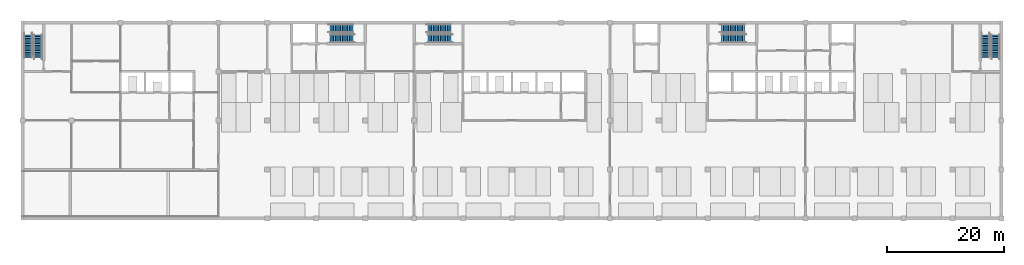
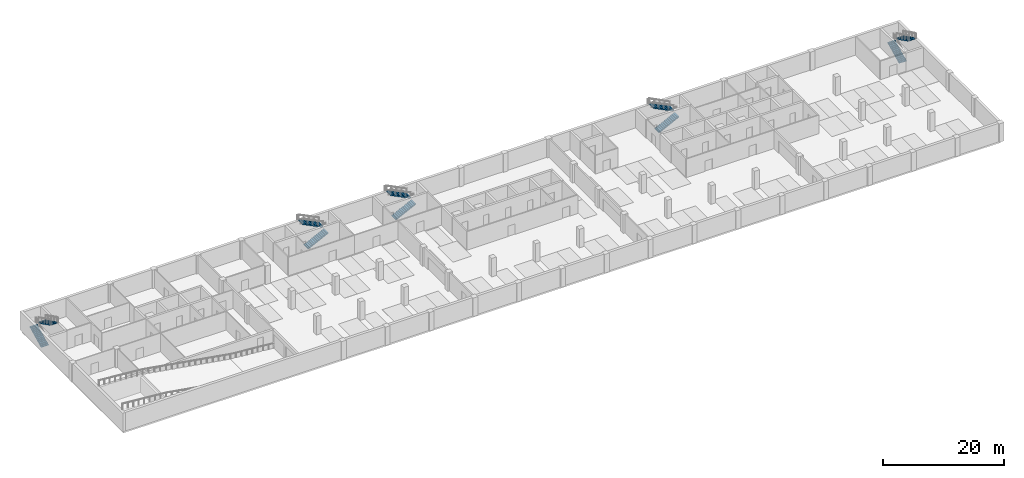
# One storey, part 6 of 14: 10 stair flights, 5 elements without a shape of their own.
"""IFC4 building model written with IfcOpenShell, lengths in metres."""

from ifc_helpers import new_model, si_unit, direction, frame, origin, place, context, subcontext, project, spatial, polyline, outline, extrude, material, type_object, element, aggregate, save


model = new_model("IFC4")

# Units and contexts
model_context = context("Model", 3, precision=1e-05, world=origin(), true_north=direction((0.0, 1.0)))
body_context = subcontext(model_context, "Body", "Model", "MODEL_VIEW")
ifc_project = project(units=[si_unit("LENGTHUNIT", "METRE"), si_unit("AREAUNIT", "SQUARE_METRE"), si_unit("VOLUMEUNIT", "CUBIC_METRE"), si_unit("PLANEANGLEUNIT", "RADIAN"), si_unit("MASSUNIT", "GRAM", prefix="KILO")], contexts=[model_context])

# Site, building, storey
site_placement = place(None, origin())
site = spatial("IfcSite", under=ifc_project, at=site_placement, CompositionType="ELEMENT")
building_placement = place(site_placement, origin())
building = spatial("IfcBuilding", under=site, at=building_placement, Name="Yavir Park General Hospital", CompositionType="ELEMENT")
storey_placement = place(building_placement, frame((0.0, 0.0, -4.199951171875)))
storey = spatial("IfcBuildingStorey", under=building, at=storey_placement, Name="B1", CompositionType="ELEMENT", Elevation=-4.199951171875)

# Stair, stair flights
ifc_material_1 = material(Name="Concrete C30/37", Category="concrete")
stair_type = type_object("IfcStairType", Name="Patient escape stair, 28 risers of 150 mm, 1400 mm flights", PredefinedType="HALF_TURN_STAIR", material=ifc_material_1)
stair_1_placement = place(storey_placement, origin())
stair_1 = element("IfcStair", 1, at=stair_1_placement, inside=storey, type_object=stair_type, Name="Stair BS1, B1 to L00", PredefinedType="HALF_TURN_STAIR")
ifc_material_2 = material(Name="Concrete C30/37", Category="concrete")
stair_flight_type = type_object("IfcStairFlightType", Name="Patient escape stair flight, 14 risers, 1400 mm wide", PredefinedType="STRAIGHT", material=ifc_material_2)
stair_flight_1_placement = place(storey_placement, frame((0.949951171875, 27.60009765625, 0.0), z_axis=(0.0, 0.0, 1.0), x_axis=(0.0, 1.0, 0.0)))
stair_flight_1 = element("IfcStairFlight", 2, at=stair_flight_1_placement, type_object=stair_flight_type, Name="BS1 flight 1", NumberOfRisers=14, NumberOfTreads=13, PredefinedType="STRAIGHT", RiserHeight=0.15, TreadLength=0.3, context=body_context, shape_type="SweptSolid", body=[
    extrude(outline(polyline([(0.0, 0.0), (0.0, 0.14990234375), (0.300048828125, 0.14990234375), (0.300048828125, 0.300048828125), (0.60009765625, 0.300048828125), (0.60009765625, 0.449951171875), (0.89990234375, 0.449951171875), (0.89990234375, 0.60009765625), (1.199951171875, 0.60009765625), (1.199951171875, 0.75), (1.5, 0.75), (1.5, 0.89990234375), (1.800048828125, 0.89990234375), (1.800048828125, 1.050048828125), (2.10009765625, 1.050048828125), (2.10009765625, 1.199951171875), (2.39990234375, 1.199951171875), (2.39990234375, 1.35009765625), (2.699951171875, 1.35009765625), (2.699951171875, 1.5), (3.0, 1.5), (3.0, 1.64990234375), (3.300048828125, 1.64990234375), (3.300048828125, 1.800048828125), (3.60009765625, 1.800048828125), (3.60009765625, 1.949951171875), (3.89990234375, 1.949951171875), (3.89990234375, 2.10009765625), (3.89990234375, 1.771240234375), (0.357666015625, 0.0), (0.0, 0.0)])), frame((0.0, 0.699951171875, 0.0), z_axis=(0.0, -1.0, 0.0), x_axis=(1.0, 0.0, 0.0)), (0.0, 0.0, 1.0), 1.39990234375),
])
stair_flight_2_placement = place(storey_placement, frame((2.64990234375, 31.5, 2.099853515625), z_axis=(0.0, 0.0, 1.0), x_axis=(0.0, -1.0, 0.0)))
stair_flight_2 = element("IfcStairFlight", 3, at=stair_flight_2_placement, type_object=stair_flight_type, Name="BS1 flight 2", NumberOfRisers=14, NumberOfTreads=13, PredefinedType="STRAIGHT", RiserHeight=0.15, TreadLength=0.3, context=body_context, shape_type="SweptSolid", body=[
    extrude(outline(polyline([(0.0, 0.0), (0.0, 0.14990234375), (0.300048828125, 0.14990234375), (0.300048828125, 0.300048828125), (0.60009765625, 0.300048828125), (0.60009765625, 0.449951171875), (0.89990234375, 0.449951171875), (0.89990234375, 0.60009765625), (1.199951171875, 0.60009765625), (1.199951171875, 0.75), (1.5, 0.75), (1.5, 0.89990234375), (1.800048828125, 0.89990234375), (1.800048828125, 1.050048828125), (2.10009765625, 1.050048828125), (2.10009765625, 1.199951171875), (2.39990234375, 1.199951171875), (2.39990234375, 1.35009765625), (2.699951171875, 1.35009765625), (2.699951171875, 1.5), (3.0, 1.5), (3.0, 1.64990234375), (3.300048828125, 1.64990234375), (3.300048828125, 1.800048828125), (3.60009765625, 1.800048828125), (3.60009765625, 1.949951171875), (3.89990234375, 1.949951171875), (3.89990234375, 2.10009765625), (3.89990234375, 1.771240234375), (0.357666015625, 0.0), (0.0, 0.0)])), frame((0.0, 0.699951171875, 0.0), z_axis=(0.0, -1.0, 0.0), x_axis=(1.0, 0.0, 0.0)), (0.0, 0.0, 1.0), 1.39990234375),
])
aggregate(stair_1, [stair_flight_1, stair_flight_2])

stair_2_placement = place(storey_placement, origin())
stair_2 = element("IfcStair", 4, at=stair_2_placement, inside=storey, type_object=stair_type, Name="Stair BS2, B1 to L00", PredefinedType="HALF_TURN_STAIR")
stair_flight_3_placement = place(storey_placement, frame((52.800048828125, 30.89990234375, 0.0), z_axis=(0.0, 0.0, 1.0), x_axis=(1.0, 0.0, 0.0)))
stair_flight_3 = element("IfcStairFlight", 5, at=stair_flight_3_placement, type_object=stair_flight_type, Name="BS2 flight 1", NumberOfRisers=14, NumberOfTreads=13, PredefinedType="STRAIGHT", RiserHeight=0.15, TreadLength=0.3, context=body_context, shape_type="SweptSolid", body=[
    extrude(outline(polyline([(0.0, 0.0), (0.0, 0.14990234375), (0.300048828125, 0.14990234375), (0.300048828125, 0.300048828125), (0.60009765625, 0.300048828125), (0.60009765625, 0.449951171875), (0.89990234375, 0.449951171875), (0.89990234375, 0.60009765625), (1.199951171875, 0.60009765625), (1.199951171875, 0.75), (1.5, 0.75), (1.5, 0.89990234375), (1.800048828125, 0.89990234375), (1.800048828125, 1.050048828125), (2.10009765625, 1.050048828125), (2.10009765625, 1.199951171875), (2.39990234375, 1.199951171875), (2.39990234375, 1.35009765625), (2.699951171875, 1.35009765625), (2.699951171875, 1.5), (3.0, 1.5), (3.0, 1.64990234375), (3.300048828125, 1.64990234375), (3.300048828125, 1.800048828125), (3.60009765625, 1.800048828125), (3.60009765625, 1.949951171875), (3.89990234375, 1.949951171875), (3.89990234375, 2.10009765625), (3.89990234375, 1.771240234375), (0.357666015625, 0.0), (0.0, 0.0)])), frame((0.0, 0.699951171875, 0.0), z_axis=(0.0, -1.0, 0.0), x_axis=(1.0, 0.0, 0.0)), (0.0, 0.0, 1.0), 1.39990234375),
])
stair_flight_4_placement = place(storey_placement, frame((56.699951171875, 32.60009765625, 2.099853515625), z_axis=(0.0, 0.0, 1.0), x_axis=(-1.0, 0.0, 0.0)))
stair_flight_4 = element("IfcStairFlight", 6, at=stair_flight_4_placement, type_object=stair_flight_type, Name="BS2 flight 2", NumberOfRisers=14, NumberOfTreads=13, PredefinedType="STRAIGHT", RiserHeight=0.15, TreadLength=0.3, context=body_context, shape_type="SweptSolid", body=[
    extrude(outline(polyline([(0.0, 0.0), (0.0, 0.14990234375), (0.300048828125, 0.14990234375), (0.300048828125, 0.300048828125), (0.60009765625, 0.300048828125), (0.60009765625, 0.449951171875), (0.89990234375, 0.449951171875), (0.89990234375, 0.60009765625), (1.199951171875, 0.60009765625), (1.199951171875, 0.75), (1.5, 0.75), (1.5, 0.89990234375), (1.800048828125, 0.89990234375), (1.800048828125, 1.050048828125), (2.10009765625, 1.050048828125), (2.10009765625, 1.199951171875), (2.39990234375, 1.199951171875), (2.39990234375, 1.35009765625), (2.699951171875, 1.35009765625), (2.699951171875, 1.5), (3.0, 1.5), (3.0, 1.64990234375), (3.300048828125, 1.64990234375), (3.300048828125, 1.800048828125), (3.60009765625, 1.800048828125), (3.60009765625, 1.949951171875), (3.89990234375, 1.949951171875), (3.89990234375, 2.10009765625), (3.89990234375, 1.771240234375), (0.357666015625, 0.0), (0.0, 0.0)])), frame((0.0, 0.699951171875, 0.0), z_axis=(0.0, -1.0, 0.0), x_axis=(1.0, 0.0, 0.0)), (0.0, 0.0, 1.0), 1.39990234375),
])
aggregate(stair_2, [stair_flight_3, stair_flight_4])

stair_3_placement = place(storey_placement, origin())
stair_3 = element("IfcStair", 7, at=stair_3_placement, inside=storey, type_object=stair_type, Name="Stair BS3, B1 to L00", PredefinedType="HALF_TURN_STAIR")
stair_flight_5_placement = place(storey_placement, frame((69.60009765625, 30.89990234375, 0.0), z_axis=(0.0, 0.0, 1.0), x_axis=(1.0, 0.0, 0.0)))
stair_flight_5 = element("IfcStairFlight", 8, at=stair_flight_5_placement, type_object=stair_flight_type, Name="BS3 flight 1", NumberOfRisers=14, NumberOfTreads=13, PredefinedType="STRAIGHT", RiserHeight=0.15, TreadLength=0.3, context=body_context, shape_type="SweptSolid", body=[
    extrude(outline(polyline([(0.0, 0.0), (0.0, 0.14990234375), (0.300048828125, 0.14990234375), (0.300048828125, 0.300048828125), (0.60009765625, 0.300048828125), (0.60009765625, 0.449951171875), (0.89990234375, 0.449951171875), (0.89990234375, 0.60009765625), (1.199951171875, 0.60009765625), (1.199951171875, 0.75), (1.5, 0.75), (1.5, 0.89990234375), (1.800048828125, 0.89990234375), (1.800048828125, 1.050048828125), (2.10009765625, 1.050048828125), (2.10009765625, 1.199951171875), (2.39990234375, 1.199951171875), (2.39990234375, 1.35009765625), (2.699951171875, 1.35009765625), (2.699951171875, 1.5), (3.0, 1.5), (3.0, 1.64990234375), (3.300048828125, 1.64990234375), (3.300048828125, 1.800048828125), (3.60009765625, 1.800048828125), (3.60009765625, 1.949951171875), (3.89990234375, 1.949951171875), (3.89990234375, 2.10009765625), (3.89990234375, 1.771240234375), (0.357666015625, 0.0), (0.0, 0.0)])), frame((0.0, 0.699951171875, 0.0), z_axis=(0.0, -1.0, 0.0), x_axis=(1.0, 0.0, 0.0)), (0.0, 0.0, 1.0), 1.39990234375),
])
stair_flight_6_placement = place(storey_placement, frame((73.5, 32.60009765625, 2.099853515625), z_axis=(0.0, 0.0, 1.0), x_axis=(-1.0, 0.0, 0.0)))
stair_flight_6 = element("IfcStairFlight", 9, at=stair_flight_6_placement, type_object=stair_flight_type, Name="BS3 flight 2", NumberOfRisers=14, NumberOfTreads=13, PredefinedType="STRAIGHT", RiserHeight=0.15, TreadLength=0.3, context=body_context, shape_type="SweptSolid", body=[
    extrude(outline(polyline([(0.0, 0.0), (0.0, 0.14990234375), (0.300048828125, 0.14990234375), (0.300048828125, 0.300048828125), (0.60009765625, 0.300048828125), (0.60009765625, 0.449951171875), (0.89990234375, 0.449951171875), (0.89990234375, 0.60009765625), (1.199951171875, 0.60009765625), (1.199951171875, 0.75), (1.5, 0.75), (1.5, 0.89990234375), (1.800048828125, 0.89990234375), (1.800048828125, 1.050048828125), (2.10009765625, 1.050048828125), (2.10009765625, 1.199951171875), (2.39990234375, 1.199951171875), (2.39990234375, 1.35009765625), (2.699951171875, 1.35009765625), (2.699951171875, 1.5), (3.0, 1.5), (3.0, 1.64990234375), (3.300048828125, 1.64990234375), (3.300048828125, 1.800048828125), (3.60009765625, 1.800048828125), (3.60009765625, 1.949951171875), (3.89990234375, 1.949951171875), (3.89990234375, 2.10009765625), (3.89990234375, 1.771240234375), (0.357666015625, 0.0), (0.0, 0.0)])), frame((0.0, 0.699951171875, 0.0), z_axis=(0.0, -1.0, 0.0), x_axis=(1.0, 0.0, 0.0)), (0.0, 0.0, 1.0), 1.39990234375),
])
aggregate(stair_3, [stair_flight_5, stair_flight_6])

stair_4_placement = place(storey_placement, origin())
stair_4 = element("IfcStair", 10, at=stair_4_placement, inside=storey, type_object=stair_type, Name="Stair BS4, B1 to L00", PredefinedType="HALF_TURN_STAIR")
stair_flight_7_placement = place(storey_placement, frame((120.0, 30.89990234375, 0.0), z_axis=(0.0, 0.0, 1.0), x_axis=(1.0, 0.0, 0.0)))
stair_flight_7 = element("IfcStairFlight", 11, at=stair_flight_7_placement, type_object=stair_flight_type, Name="BS4 flight 1", NumberOfRisers=14, NumberOfTreads=13, PredefinedType="STRAIGHT", RiserHeight=0.15, TreadLength=0.3, context=body_context, shape_type="SweptSolid", body=[
    extrude(outline(polyline([(0.0, 0.0), (0.0, 0.14990234375), (0.300048828125, 0.14990234375), (0.300048828125, 0.300048828125), (0.60009765625, 0.300048828125), (0.60009765625, 0.449951171875), (0.89990234375, 0.449951171875), (0.89990234375, 0.60009765625), (1.199951171875, 0.60009765625), (1.199951171875, 0.75), (1.5, 0.75), (1.5, 0.89990234375), (1.800048828125, 0.89990234375), (1.800048828125, 1.050048828125), (2.10009765625, 1.050048828125), (2.10009765625, 1.199951171875), (2.39990234375, 1.199951171875), (2.39990234375, 1.35009765625), (2.699951171875, 1.35009765625), (2.699951171875, 1.5), (3.0, 1.5), (3.0, 1.64990234375), (3.300048828125, 1.64990234375), (3.300048828125, 1.800048828125), (3.60009765625, 1.800048828125), (3.60009765625, 1.949951171875), (3.89990234375, 1.949951171875), (3.89990234375, 2.10009765625), (3.89990234375, 1.771240234375), (0.357666015625, 0.0), (0.0, 0.0)])), frame((0.0, 0.699951171875, 0.0), z_axis=(0.0, -1.0, 0.0), x_axis=(1.0, 0.0, 0.0)), (0.0, 0.0, 1.0), 1.39990234375),
])
stair_flight_8_placement = place(storey_placement, frame((123.89990234375, 32.60009765625, 2.099853515625), z_axis=(0.0, 0.0, 1.0), x_axis=(-1.0, 0.0, 0.0)))
stair_flight_8 = element("IfcStairFlight", 12, at=stair_flight_8_placement, type_object=stair_flight_type, Name="BS4 flight 2", NumberOfRisers=14, NumberOfTreads=13, PredefinedType="STRAIGHT", RiserHeight=0.15, TreadLength=0.3, context=body_context, shape_type="SweptSolid", body=[
    extrude(outline(polyline([(0.0, 0.0), (0.0, 0.14990234375), (0.300048828125, 0.14990234375), (0.300048828125, 0.300048828125), (0.60009765625, 0.300048828125), (0.60009765625, 0.449951171875), (0.89990234375, 0.449951171875), (0.89990234375, 0.60009765625), (1.199951171875, 0.60009765625), (1.199951171875, 0.75), (1.5, 0.75), (1.5, 0.89990234375), (1.800048828125, 0.89990234375), (1.800048828125, 1.050048828125), (2.10009765625, 1.050048828125), (2.10009765625, 1.199951171875), (2.39990234375, 1.199951171875), (2.39990234375, 1.35009765625), (2.699951171875, 1.35009765625), (2.699951171875, 1.5), (3.0, 1.5), (3.0, 1.64990234375), (3.300048828125, 1.64990234375), (3.300048828125, 1.800048828125), (3.60009765625, 1.800048828125), (3.60009765625, 1.949951171875), (3.89990234375, 1.949951171875), (3.89990234375, 2.10009765625), (3.89990234375, 1.771240234375), (0.357666015625, 0.0), (0.0, 0.0)])), frame((0.0, 0.699951171875, 0.0), z_axis=(0.0, -1.0, 0.0), x_axis=(1.0, 0.0, 0.0)), (0.0, 0.0, 1.0), 1.39990234375),
])
aggregate(stair_4, [stair_flight_7, stair_flight_8])

stair_5_placement = place(storey_placement, origin())
stair_5 = element("IfcStair", 13, at=stair_5_placement, inside=storey, type_object=stair_type, Name="Stair BS5, B1 to L00", PredefinedType="HALF_TURN_STAIR")
stair_flight_9_placement = place(storey_placement, frame((165.300048828125, 27.60009765625, 0.0), z_axis=(0.0, 0.0, 1.0), x_axis=(0.0, 1.0, 0.0)))
stair_flight_9 = element("IfcStairFlight", 14, at=stair_flight_9_placement, type_object=stair_flight_type, Name="BS5 flight 1", NumberOfRisers=14, NumberOfTreads=13, PredefinedType="STRAIGHT", RiserHeight=0.15, TreadLength=0.3, context=body_context, shape_type="SweptSolid", body=[
    extrude(outline(polyline([(0.0, 0.0), (0.0, 0.14990234375), (0.300048828125, 0.14990234375), (0.300048828125, 0.300048828125), (0.60009765625, 0.300048828125), (0.60009765625, 0.449951171875), (0.89990234375, 0.449951171875), (0.89990234375, 0.60009765625), (1.199951171875, 0.60009765625), (1.199951171875, 0.75), (1.5, 0.75), (1.5, 0.89990234375), (1.800048828125, 0.89990234375), (1.800048828125, 1.050048828125), (2.10009765625, 1.050048828125), (2.10009765625, 1.199951171875), (2.39990234375, 1.199951171875), (2.39990234375, 1.35009765625), (2.699951171875, 1.35009765625), (2.699951171875, 1.5), (3.0, 1.5), (3.0, 1.64990234375), (3.300048828125, 1.64990234375), (3.300048828125, 1.800048828125), (3.60009765625, 1.800048828125), (3.60009765625, 1.949951171875), (3.89990234375, 1.949951171875), (3.89990234375, 2.10009765625), (3.89990234375, 1.771240234375), (0.357666015625, 0.0), (0.0, 0.0)])), frame((0.0, 0.699951171875, 0.0), z_axis=(0.0, -1.0, 0.0), x_axis=(1.0, 0.0, 0.0)), (0.0, 0.0, 1.0), 1.39990234375),
])
stair_flight_10_placement = place(storey_placement, frame((167.0, 31.5, 2.099853515625), z_axis=(0.0, 0.0, 1.0), x_axis=(0.0, -1.0, 0.0)))
stair_flight_10 = element("IfcStairFlight", 15, at=stair_flight_10_placement, type_object=stair_flight_type, Name="BS5 flight 2", NumberOfRisers=14, NumberOfTreads=13, PredefinedType="STRAIGHT", RiserHeight=0.15, TreadLength=0.3, context=body_context, shape_type="SweptSolid", body=[
    extrude(outline(polyline([(0.0, 0.0), (0.0, 0.14990234375), (0.300048828125, 0.14990234375), (0.300048828125, 0.300048828125), (0.60009765625, 0.300048828125), (0.60009765625, 0.449951171875), (0.89990234375, 0.449951171875), (0.89990234375, 0.60009765625), (1.199951171875, 0.60009765625), (1.199951171875, 0.75), (1.5, 0.75), (1.5, 0.89990234375), (1.800048828125, 0.89990234375), (1.800048828125, 1.050048828125), (2.10009765625, 1.050048828125), (2.10009765625, 1.199951171875), (2.39990234375, 1.199951171875), (2.39990234375, 1.35009765625), (2.699951171875, 1.35009765625), (2.699951171875, 1.5), (3.0, 1.5), (3.0, 1.64990234375), (3.300048828125, 1.64990234375), (3.300048828125, 1.800048828125), (3.60009765625, 1.800048828125), (3.60009765625, 1.949951171875), (3.89990234375, 1.949951171875), (3.89990234375, 2.10009765625), (3.89990234375, 1.771240234375), (0.357666015625, 0.0), (0.0, 0.0)])), frame((0.0, 0.699951171875, 0.0), z_axis=(0.0, -1.0, 0.0), x_axis=(1.0, 0.0, 0.0)), (0.0, 0.0, 1.0), 1.39990234375),
])
aggregate(stair_5, [stair_flight_9, stair_flight_10])

save(model, "model.ifc")
